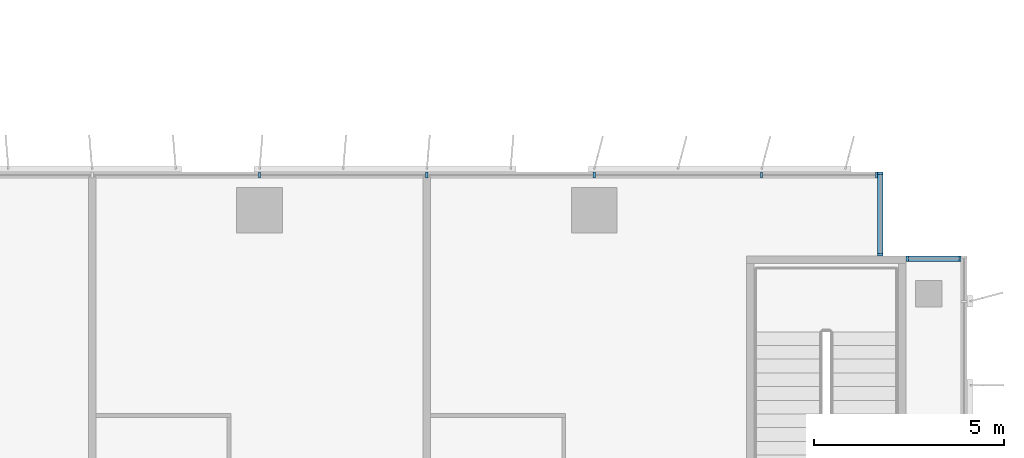
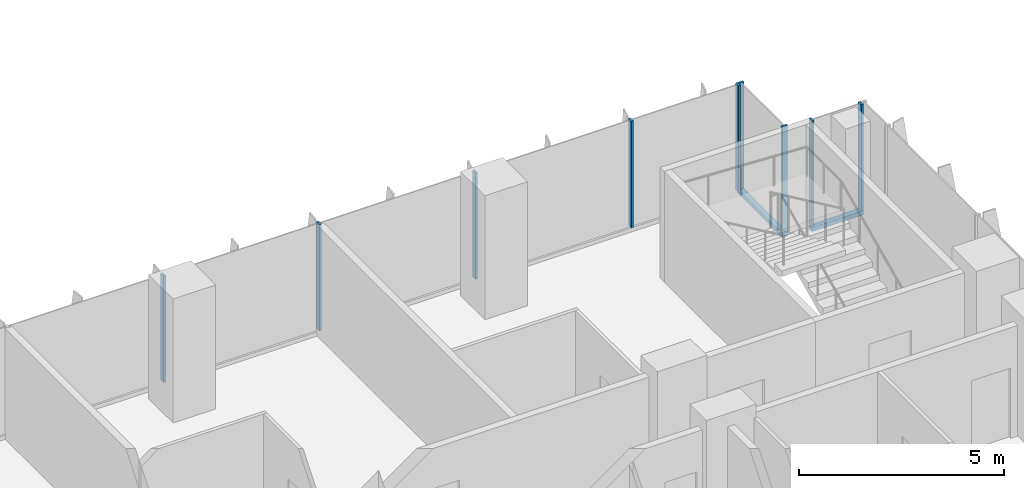
# One storey, part 4 of 22: 11 members, 3 elements without a shape of their own.
"""IFC4 building model written with IfcOpenShell, lengths in metres."""

import ifcopenshell
import ifcopenshell.guid

model = None  # the IFC model being written
_history = None  # IfcOwnerHistory: only IFC2X3 demands one
_inside = {}  # id of a spatial element -> (the spatial element, [elements in it])
_under = {}  # id of a project, library or spatial element -> (it, [spatial elements below it])
_declared = {}  # id of a project -> (the project, [libraries it declares])
_typed = {}  # id of a type object -> (the type object, [elements of that type])
_made_of = {}  # id of a material, layer set ... -> (it, [elements and type objects made of it])


def new_model(schema):
    """Start an empty IFC model of exactly this schema.

    Asked for "IFC4X3", IfcOpenShell would pick the latest addendum, in which some entities
    have other attributes; the version numbers below select the first issue.
    IFC2X3 requires an IfcOwnerHistory on every rooted entity: one is made here for all.
    """
    global model, _history
    if schema == "IFC4X3":
        model = ifcopenshell.file(schema_version=(4, 3, 0, 0))
    else:
        model = ifcopenshell.file(schema=schema)
    _inside.clear()
    _under.clear()
    _declared.clear()
    _typed.clear()
    _made_of.clear()
    _history = None
    if model.schema == "IFC2X3":
        org = make("IfcOrganization", Name="unknown")
        user = make(
            "IfcPersonAndOrganization",
            ThePerson=make("IfcPerson", FamilyName="unknown"),
            TheOrganization=org,
        )
        app = make(
            "IfcApplication",
            ApplicationDeveloper=org,
            Version="unknown",
            ApplicationFullName="unknown",
            ApplicationIdentifier="unknown",
        )
        _history = make(
            "IfcOwnerHistory",
            OwningUser=user,
            OwningApplication=app,
            ChangeAction="ADDED",
            CreationDate=0,
        )
    return model


def make(cls, **values):
    """One entity of the class cls with the attributes given. An attribute that is None is left unset."""
    return model.create_entity(
        cls, **{name: value for name, value in values.items() if value is not None}
    )


def rooted(cls, **values):
    """An entity with a GlobalId (a new one), such as an element, a storey or a relation."""
    return make(cls, GlobalId=ifcopenshell.guid.new(), OwnerHistory=_history, **values)


def si_unit(unit_type, name, prefix=None):
    """IfcSIUnit, for example si_unit("LENGTHUNIT", "METRE", prefix="MILLI")."""
    return make("IfcSIUnit", UnitType=unit_type, Prefix=prefix, Name=name)


def assignment(units):
    """IfcUnitAssignment: the units of a project."""
    return None if units is None else make("IfcUnitAssignment", Units=units)


def point(xyz):
    """IfcCartesianPoint."""
    return None if xyz is None else make("IfcCartesianPoint", Coordinates=xyz)


def direction(xyz):
    """IfcDirection."""
    return None if xyz is None else make("IfcDirection", DirectionRatios=xyz)


def frame(location, z_axis=None, x_axis=None):
    """IfcAxis2Placement3D, a coordinate frame: its origin and axes. An axis left out is left unset."""
    return make(
        "IfcAxis2Placement3D",
        Location=point(location),
        Axis=direction(z_axis),
        RefDirection=direction(x_axis),
    )


def frame_2d(location, x_axis=None):
    """IfcAxis2Placement2D, a coordinate frame in the plane: its origin and x axis."""
    return make(
        "IfcAxis2Placement2D", Location=point(location), RefDirection=direction(x_axis)
    )


def origin():
    """The frame at (0, 0, 0) with its axes left unset."""
    return frame((0.0, 0.0, 0.0))


def origin_2d():
    """The frame at (0, 0) in the plane with its x axis left unset."""
    return frame_2d((0.0, 0.0))


def place(relative_to, where):
    """IfcLocalPlacement: puts the frame where relative to a parent placement (None: the world)."""
    return make(
        "IfcLocalPlacement", PlacementRelTo=relative_to, RelativePlacement=where
    )


def context(
    kind, dimensions, precision=None, world=None, true_north=None, identifier=None
):
    """IfcGeometricRepresentationContext, for example the 3D "Model" context."""
    return make(
        "IfcGeometricRepresentationContext",
        ContextIdentifier=identifier,
        ContextType=kind,
        CoordinateSpaceDimension=dimensions,
        Precision=precision,
        WorldCoordinateSystem=world,
        TrueNorth=true_north,
    )


def subcontext(parent, identifier, kind, view, scale=None):
    """IfcGeometricRepresentationSubContext, for example "Body" below "Model"."""
    return make(
        "IfcGeometricRepresentationSubContext",
        ContextIdentifier=identifier,
        ContextType=kind,
        ParentContext=parent,
        TargetScale=scale,
        TargetView=view,
    )


def project(units=None, contexts=None):
    """IfcProject with its units and contexts."""
    return rooted(
        "IfcProject",
        Name="project",
        RepresentationContexts=contexts,
        UnitsInContext=assignment(units),
    )


def spatial(cls, under=None, at=None, **own):
    """A site, building, storey or space (cls), placed at a placement, below another one or the project."""
    s = rooted(cls, ObjectPlacement=at, **own)
    if under is not None:
        _under.setdefault(under.id(), (under, []))[1].append(s)
    return s


def profile(cls, at=None, kind="AREA", **sizes):
    """A parametric profile (cls). Its sizes go by their IFC names, for example OverallWidth=200.0."""
    return make(cls, ProfileType=kind, Position=at, **sizes)


def rectangle(**sizes):
    """IfcRectangleProfileDef."""
    return profile("IfcRectangleProfileDef", **sizes)


def extrude(swept, where, along, depth):
    """IfcExtrudedAreaSolid: the profile swept, set in the frame where, extruded along a direction by depth."""
    return make(
        "IfcExtrudedAreaSolid",
        SweptArea=swept,
        Position=where,
        ExtrudedDirection=direction(along),
        Depth=depth,
    )


def shape(context_of_items, identifier, shape_type, items):
    """IfcShapeRepresentation: the items that make up one representation, for example the "Body"."""
    return make(
        "IfcShapeRepresentation",
        ContextOfItems=context_of_items,
        RepresentationIdentifier=identifier,
        RepresentationType=shape_type,
        Items=items,
    )


def source(mapping_origin, context_of_items, identifier, shape_type, items):
    """IfcRepresentationMap: a shape defined once, which mapped items show again and again."""
    return make(
        "IfcRepresentationMap",
        MappingOrigin=mapping_origin,
        MappedRepresentation=shape(context_of_items, identifier, shape_type, items),
    )


def transform(
    local_origin,
    x_axis=None,
    y_axis=None,
    z_axis=None,
    scale=None,
    scale2=None,
    scale3=None,
    uniform=True,
):
    """IfcCartesianTransformationOperator3D, or its non-uniform kind. x_axis, y_axis, z_axis: its Axis1, 2, 3."""
    if uniform:
        return make(
            "IfcCartesianTransformationOperator3D",
            Axis1=direction(x_axis),
            Axis2=direction(y_axis),
            LocalOrigin=point(local_origin),
            Scale=scale,
            Axis3=direction(z_axis),
        )
    return make(
        "IfcCartesianTransformationOperator3DnonUniform",
        Axis1=direction(x_axis),
        Axis2=direction(y_axis),
        LocalOrigin=point(local_origin),
        Scale=scale,
        Axis3=direction(z_axis),
        Scale2=scale2,
        Scale3=scale3,
    )


def mapped(mapping_source, mapping_target):
    """IfcMappedItem: shows the shape of a source again, moved by a transform."""
    return make(
        "IfcMappedItem", MappingSource=mapping_source, MappingTarget=mapping_target
    )


def material(Name=None, Category=None):
    """IfcMaterial."""
    return make("IfcMaterial", Name=Name, Category=Category)


def material_profile(
    of_material, cross_section, Name=None, Category=None, Priority=None
):
    """IfcMaterialProfile: a cross section and its material."""
    return make(
        "IfcMaterialProfile",
        Name=Name,
        Material=of_material,
        Profile=cross_section,
        Priority=Priority,
        Category=Category,
    )


def profile_set(profiles, Name=None, composite=None):
    """IfcMaterialProfileSet."""
    return make(
        "IfcMaterialProfileSet",
        Name=Name,
        MaterialProfiles=profiles,
        CompositeProfile=composite,
    )


def made_of(thing, what):
    """Note that an element or type object is made of a material, layer set ...; save() writes the relation."""
    if what is not None:
        _made_of.setdefault(what.id(), (what, []))[1].append(thing)
    return thing


def type_object(cls, material=None, **own):
    """A type object (cls), such as IfcWallType, which elements share."""
    return made_of(rooted(cls, **own), material)


def element(
    cls,
    number,
    at=None,
    inside=None,
    cuts=None,
    type_object=None,
    material=None,
    context=None,
    identifier="Body",
    shape_type=None,
    held_by="IfcProductDefinitionShape",
    body=None,
    shapes=None,
    **own,
):
    """One element of the class cls, such as IfcWall. Its Tag is "e" and its number.

    at: its placement. inside: the storey or other place that contains it. cuts: it is an
    opening in that element (IfcRelVoidsElement). A single representation is given by context,
    identifier, shape_type and body (its items); several are given by shapes. held_by: the class
    of the entity that holds the representations. save() writes the other relations.
    """
    e = rooted(cls, Tag="e%d" % number, ObjectPlacement=at, **own)
    if body is not None:
        shapes = [shape(context, identifier, shape_type, body)]
    if shapes is not None:
        e.Representation = make(held_by, Representations=shapes)
    if inside is not None:
        _inside.setdefault(inside.id(), (inside, []))[1].append(e)
    if cuts is not None:
        rooted(
            "IfcRelVoidsElement", RelatingBuildingElement=cuts, RelatedOpeningElement=e
        )
    if type_object is not None:
        _typed.setdefault(type_object.id(), (type_object, []))[1].append(e)
    return made_of(e, material)


def aggregate(whole, parts):
    """IfcRelAggregates: a whole, such as a stair, and the parts it consists of."""
    return rooted("IfcRelAggregates", RelatingObject=whole, RelatedObjects=parts)


def save(model, path):
    """Write the relations noted so far, then the file.

    IfcRelAggregates (storeys below a building ...), IfcRelContainedInSpatialStructure (elements
    in a storey), IfcRelDefinesByType, IfcRelAssociatesMaterial and IfcRelDeclares: one each for
    every whole, place, type object, material and project.
    """
    for whole, parts in _under.values():
        aggregate(whole, parts)
    for where, things in _inside.values():
        rooted(
            "IfcRelContainedInSpatialStructure",
            RelatedElements=things,
            RelatingStructure=where,
        )
    for kind, things in _typed.values():
        rooted("IfcRelDefinesByType", RelatedObjects=things, RelatingType=kind)
    for what, things in _made_of.values():
        rooted("IfcRelAssociatesMaterial", RelatedObjects=things, RelatingMaterial=what)
    for by, libraries in _declared.values():
        rooted("IfcRelDeclares", RelatingContext=by, RelatedDefinitions=libraries)
    model.write(path)


model = new_model("IFC4")

# Units and contexts
model_context = context("Model", 3, precision=1e-05, world=origin(), true_north=direction((0.0, 1.0)))
body_context = subcontext(model_context, "Body", "Model", "MODEL_VIEW")
ifc_project = project(units=[si_unit("LENGTHUNIT", "METRE"), si_unit("AREAUNIT", "SQUARE_METRE"), si_unit("VOLUMEUNIT", "CUBIC_METRE"), si_unit("PLANEANGLEUNIT", "RADIAN"), si_unit("MASSUNIT", "GRAM", prefix="KILO")], contexts=[model_context])

# Site, building, storey
site_placement = place(None, origin())
site = spatial("IfcSite", under=ifc_project, at=site_placement, CompositionType="ELEMENT")
building_placement = place(site_placement, origin())
building = spatial("IfcBuilding", under=site, at=building_placement, Name="Kemantara Hotel Tower", CompositionType="ELEMENT")
storey_placement = place(building_placement, frame((0.0, 0.0, 98.199951171875)))
storey = spatial("IfcBuildingStorey", under=building, at=storey_placement, Name="L23", CompositionType="ELEMENT", Elevation=98.199951171875)

# Curtain wall, member
ifc_material_1 = material(Name="Low-E tinted double insulated glass 36 mm", Category="glass")
curtain_wall_type = type_object("IfcCurtainWallType", Name="TOWER CURTAIN WALL, FRONT FACES", PredefinedType="USERDEFINED", material=ifc_material_1)
curtain_wall_1_placement = place(storey_placement, origin())
curtain_wall_1 = element("IfcCurtainWall", 1, at=curtain_wall_1_placement, inside=storey, type_object=curtain_wall_type, Name="CW4 L23 T2-R11-1", ObjectType="TOWER CURTAIN WALL, FRONT FACES", PredefinedType="USERDEFINED")
ifc_material_2 = material(Name="Aluminium 6063-T6 bronze anodised", Category="aluminium")
ifc_material_profile_1 = material_profile(ifc_material_2, rectangle(XDim=0.14990234375, YDim=0.1201171875, at=origin_2d()), Name="TOWER CURTAIN WALL, FRONT FACES TRANSOM")
ifc_profile_set_1 = profile_set([ifc_material_profile_1], Name="Aluminium 6063-T6 bronze anodised")
member_type_1 = type_object("IfcMemberType", Name="TOWER CURTAIN WALL, FRONT FACES TRANSOM", PredefinedType="USERDEFINED", material=ifc_profile_set_1)
member_1_placement = place(storey_placement, frame((63.449951171875, 19.72509765625, 0.06005859375), z_axis=(-1.0, 0.0, 0.0), x_axis=(0.0, -1.0, 0.0)))
member_1 = element("IfcMember", 2, at=member_1_placement, type_object=member_type_1, Name="CW4 sill transom T2-R11-1", ObjectType="TRANSOM", PredefinedType="USERDEFINED", context=body_context, shape_type="SweptSolid", body=[
    extrude(rectangle(XDim=0.14990234375, YDim=0.1201171875, at=origin_2d()), origin(), (0.0, 0.0, 1.0), 1.449951171875),
])

curtain_wall_2_placement = place(storey_placement, origin())
curtain_wall_2 = element("IfcCurtainWall", 3, at=curtain_wall_2_placement, inside=storey, type_object=curtain_wall_type, Name="CW4 L23 T2-R12-1", ObjectType="TOWER CURTAIN WALL, FRONT FACES", PredefinedType="USERDEFINED")
member_2_placement = place(storey_placement, frame((61.324951171875, 19.800048828125, 0.06005859375), z_axis=(0.0, 1.0, 0.0), x_axis=(-1.0, 0.0, 0.0)))
member_2 = element("IfcMember", 4, at=member_2_placement, type_object=member_type_1, Name="CW4 sill transom T2-R12-1", ObjectType="TRANSOM", PredefinedType="USERDEFINED", context=body_context, shape_type="SweptSolid", body=[
    extrude(rectangle(XDim=0.14990234375, YDim=0.1201171875, at=origin_2d()), origin(), (0.0, 0.0, 1.0), 2.199951171875),
])

# Curtain wall, members
curtain_wall_3_placement = place(storey_placement, origin())
curtain_wall_3 = element("IfcCurtainWall", 5, at=curtain_wall_3_placement, inside=storey, type_object=curtain_wall_type, Name="CW4 L23 T2-R13-1", ObjectType="TOWER CURTAIN WALL, FRONT FACES", PredefinedType="USERDEFINED")
ifc_material_profile_2 = material_profile(ifc_material_2, rectangle(XDim=0.14990234375, YDim=0.06005859375, at=origin_2d()), Name="TOWER CURTAIN WALL, FRONT FACES MULLION")
ifc_profile_set_2 = profile_set([ifc_material_profile_2], Name="Aluminium 6063-T6 bronze anodised")
member_type_2 = type_object("IfcMemberType", Name="TOWER CURTAIN WALL, FRONT FACES MULLION", PredefinedType="MULLION", material=ifc_profile_set_2)
shared_shape = source(origin(), body_context, "Body", "SweptSolid", [
    extrude(rectangle(XDim=0.14990234375, YDim=0.06005859375, at=origin_2d()), origin(), (0.0, 0.0, 1.0), 3.179931640625),
])
member_3_placement = place(storey_placement, frame((61.219970703125, 21.925048828125, 0.1201171875), z_axis=(0.0, 0.0, 1.0), x_axis=(0.0, -1.0, 0.0)))
member_3 = element("IfcMember", 6, at=member_3_placement, type_object=member_type_2, Name="CW4 mullion T2-R13-1.1", PredefinedType="MULLION", context=body_context, shape_type="MappedRepresentation", body=[
    mapped(shared_shape, transform((0.0, 0.0, 0.0))),
])
member_4_placement = place(storey_placement, frame((58.199951171875, 21.925048828125, 0.1201171875), z_axis=(0.0, 0.0, 1.0), x_axis=(0.0, -1.0, 0.0)))
member_4 = element("IfcMember", 7, at=member_4_placement, type_object=member_type_2, Name="CW4 mullion T2-R13-1.2", PredefinedType="MULLION", context=body_context, shape_type="MappedRepresentation", body=[
    mapped(shared_shape, transform((0.0, 0.0, 0.0))),
])
member_5_placement = place(storey_placement, frame((53.800048828125, 21.925048828125, 0.1201171875), z_axis=(0.0, 0.0, 1.0), x_axis=(0.0, -1.0, 0.0)))
member_5 = element("IfcMember", 8, at=member_5_placement, type_object=member_type_2, Name="CW4 mullion T2-R13-1.3", PredefinedType="MULLION", context=body_context, shape_type="MappedRepresentation", body=[
    mapped(shared_shape, transform((0.0, 0.0, 0.0))),
])
member_6_placement = place(storey_placement, frame((49.39990234375, 21.925048828125, 0.1201171875), z_axis=(0.0, 0.0, 1.0), x_axis=(0.0, -1.0, 0.0)))
member_6 = element("IfcMember", 9, at=member_6_placement, type_object=member_type_2, Name="CW4 mullion T2-R13-1.4", PredefinedType="MULLION", context=body_context, shape_type="MappedRepresentation", body=[
    mapped(shared_shape, transform((0.0, 0.0, 0.0))),
])
member_7_placement = place(storey_placement, frame((45.0, 21.925048828125, 0.1201171875), z_axis=(0.0, 0.0, 1.0), x_axis=(0.0, -1.0, 0.0)))
member_7 = element("IfcMember", 10, at=member_7_placement, type_object=member_type_2, Name="CW4 mullion T2-R13-1.5", PredefinedType="MULLION", context=body_context, shape_type="MappedRepresentation", body=[
    mapped(shared_shape, transform((0.0, 0.0, 0.0))),
])
aggregate(curtain_wall_3, [member_3, member_4, member_5, member_6, member_7])

# Member
member_8_placement = place(storey_placement, frame((63.419921875, 19.72509765625, 0.1201171875), z_axis=(0.0, 0.0, 1.0), x_axis=(0.0, -1.0, 0.0)))
member_8 = element("IfcMember", 11, at=member_8_placement, type_object=member_type_2, Name="CW4 mullion T2-R11-1.1", PredefinedType="MULLION", context=body_context, shape_type="MappedRepresentation", body=[
    mapped(shared_shape, transform((0.0, 0.0, 0.0))),
])

member_9_placement = place(storey_placement, frame((62.030029296875, 19.72509765625, 0.1201171875), z_axis=(0.0, 0.0, 1.0), x_axis=(0.0, -1.0, 0.0)))
member_9 = element("IfcMember", 12, at=member_9_placement, type_object=member_type_2, Name="CW4 mullion T2-R11-1.2", PredefinedType="MULLION", context=body_context, shape_type="MappedRepresentation", body=[
    mapped(shared_shape, transform((0.0, 0.0, 0.0))),
])

aggregate(curtain_wall_1, [member_1, member_8, member_9])

member_10_placement = place(storey_placement, frame((61.324951171875, 19.830078125, 0.1201171875), z_axis=(0.0, 0.0, 1.0), x_axis=(-1.0, 0.0, 0.0)))
member_10 = element("IfcMember", 13, at=member_10_placement, type_object=member_type_2, Name="CW4 mullion T2-R12-1.1", PredefinedType="MULLION", context=body_context, shape_type="MappedRepresentation", body=[
    mapped(shared_shape, transform((0.0, 0.0, 0.0))),
])

member_11_placement = place(storey_placement, frame((61.324951171875, 21.969970703125, 0.1201171875), z_axis=(0.0, 0.0, 1.0), x_axis=(-1.0, 0.0, 0.0)))
member_11 = element("IfcMember", 14, at=member_11_placement, type_object=member_type_2, Name="CW4 mullion T2-R12-1.2", PredefinedType="MULLION", context=body_context, shape_type="MappedRepresentation", body=[
    mapped(shared_shape, transform((0.0, 0.0, 0.0))),
])

aggregate(curtain_wall_2, [member_2, member_10, member_11])

save(model, "model.ifc")
